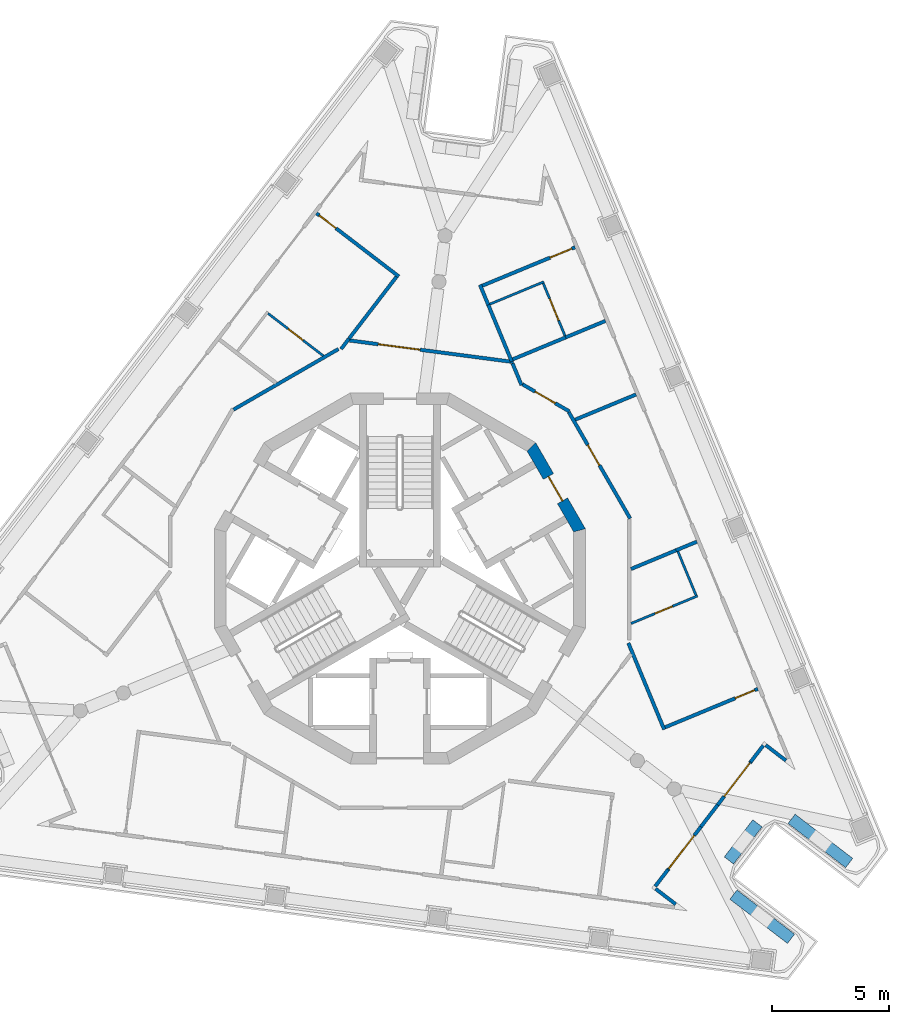
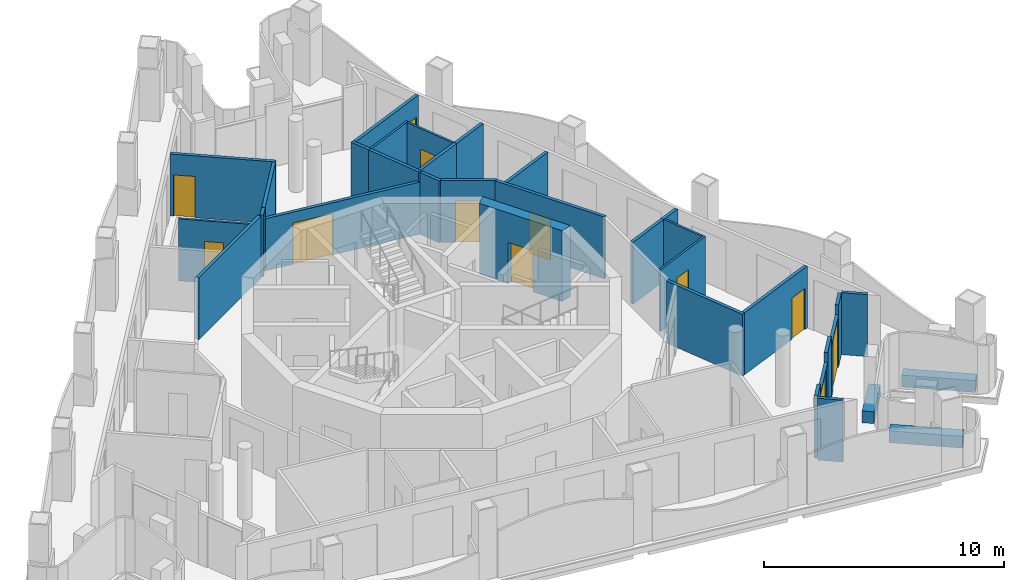
# One storey, part 5 of 12: 34 walls, 12 doors, 12 openings.
"""IFC4 building model written with IfcOpenShell, lengths in metres."""

import ifcopenshell
import ifcopenshell.guid

model = None  # the IFC model being written
_history = None  # IfcOwnerHistory: only IFC2X3 demands one
_inside = {}  # id of a spatial element -> (the spatial element, [elements in it])
_under = {}  # id of a project, library or spatial element -> (it, [spatial elements below it])
_declared = {}  # id of a project -> (the project, [libraries it declares])
_typed = {}  # id of a type object -> (the type object, [elements of that type])
_made_of = {}  # id of a material, layer set ... -> (it, [elements and type objects made of it])


def new_model(schema):
    """Start an empty IFC model of exactly this schema.

    Asked for "IFC4X3", IfcOpenShell would pick the latest addendum, in which some entities
    have other attributes; the version numbers below select the first issue.
    IFC2X3 requires an IfcOwnerHistory on every rooted entity: one is made here for all.
    """
    global model, _history
    if schema == "IFC4X3":
        model = ifcopenshell.file(schema_version=(4, 3, 0, 0))
    else:
        model = ifcopenshell.file(schema=schema)
    _inside.clear()
    _under.clear()
    _declared.clear()
    _typed.clear()
    _made_of.clear()
    _history = None
    if model.schema == "IFC2X3":
        org = make("IfcOrganization", Name="unknown")
        user = make(
            "IfcPersonAndOrganization",
            ThePerson=make("IfcPerson", FamilyName="unknown"),
            TheOrganization=org,
        )
        app = make(
            "IfcApplication",
            ApplicationDeveloper=org,
            Version="unknown",
            ApplicationFullName="unknown",
            ApplicationIdentifier="unknown",
        )
        _history = make(
            "IfcOwnerHistory",
            OwningUser=user,
            OwningApplication=app,
            ChangeAction="ADDED",
            CreationDate=0,
        )
    return model


def make(cls, **values):
    """One entity of the class cls with the attributes given. An attribute that is None is left unset."""
    return model.create_entity(
        cls, **{name: value for name, value in values.items() if value is not None}
    )


def rooted(cls, **values):
    """An entity with a GlobalId (a new one), such as an element, a storey or a relation."""
    return make(cls, GlobalId=ifcopenshell.guid.new(), OwnerHistory=_history, **values)


def si_unit(unit_type, name, prefix=None):
    """IfcSIUnit, for example si_unit("LENGTHUNIT", "METRE", prefix="MILLI")."""
    return make("IfcSIUnit", UnitType=unit_type, Prefix=prefix, Name=name)


def assignment(units):
    """IfcUnitAssignment: the units of a project."""
    return None if units is None else make("IfcUnitAssignment", Units=units)


def point(xyz):
    """IfcCartesianPoint."""
    return None if xyz is None else make("IfcCartesianPoint", Coordinates=xyz)


def direction(xyz):
    """IfcDirection."""
    return None if xyz is None else make("IfcDirection", DirectionRatios=xyz)


def frame(location, z_axis=None, x_axis=None):
    """IfcAxis2Placement3D, a coordinate frame: its origin and axes. An axis left out is left unset."""
    return make(
        "IfcAxis2Placement3D",
        Location=point(location),
        Axis=direction(z_axis),
        RefDirection=direction(x_axis),
    )


def frame_2d(location, x_axis=None):
    """IfcAxis2Placement2D, a coordinate frame in the plane: its origin and x axis."""
    return make(
        "IfcAxis2Placement2D", Location=point(location), RefDirection=direction(x_axis)
    )


def origin():
    """The frame at (0, 0, 0) with its axes left unset."""
    return frame((0.0, 0.0, 0.0))


def place(relative_to, where):
    """IfcLocalPlacement: puts the frame where relative to a parent placement (None: the world)."""
    return make(
        "IfcLocalPlacement", PlacementRelTo=relative_to, RelativePlacement=where
    )


def context(
    kind, dimensions, precision=None, world=None, true_north=None, identifier=None
):
    """IfcGeometricRepresentationContext, for example the 3D "Model" context."""
    return make(
        "IfcGeometricRepresentationContext",
        ContextIdentifier=identifier,
        ContextType=kind,
        CoordinateSpaceDimension=dimensions,
        Precision=precision,
        WorldCoordinateSystem=world,
        TrueNorth=true_north,
    )


def subcontext(parent, identifier, kind, view, scale=None):
    """IfcGeometricRepresentationSubContext, for example "Body" below "Model"."""
    return make(
        "IfcGeometricRepresentationSubContext",
        ContextIdentifier=identifier,
        ContextType=kind,
        ParentContext=parent,
        TargetScale=scale,
        TargetView=view,
    )


def project(units=None, contexts=None):
    """IfcProject with its units and contexts."""
    return rooted(
        "IfcProject",
        Name="project",
        RepresentationContexts=contexts,
        UnitsInContext=assignment(units),
    )


def spatial(cls, under=None, at=None, **own):
    """A site, building, storey or space (cls), placed at a placement, below another one or the project."""
    s = rooted(cls, ObjectPlacement=at, **own)
    if under is not None:
        _under.setdefault(under.id(), (under, []))[1].append(s)
    return s


def polyline(points):
    """IfcPolyline through the points."""
    return make("IfcPolyline", Points=[point(p) for p in points])


def profile(cls, at=None, kind="AREA", **sizes):
    """A parametric profile (cls). Its sizes go by their IFC names, for example OverallWidth=200.0."""
    return make(cls, ProfileType=kind, Position=at, **sizes)


def rectangle(**sizes):
    """IfcRectangleProfileDef."""
    return profile("IfcRectangleProfileDef", **sizes)


def outline(outer, holes=None, kind="AREA"):
    """IfcArbitraryClosedProfileDef: a profile drawn as a closed curve; with holes, ...WithVoids."""
    if holes is None:
        return make("IfcArbitraryClosedProfileDef", ProfileType=kind, OuterCurve=outer)
    return make(
        "IfcArbitraryProfileDefWithVoids",
        ProfileType=kind,
        OuterCurve=outer,
        InnerCurves=holes,
    )


def extrude(swept, where, along, depth):
    """IfcExtrudedAreaSolid: the profile swept, set in the frame where, extruded along a direction by depth."""
    return make(
        "IfcExtrudedAreaSolid",
        SweptArea=swept,
        Position=where,
        ExtrudedDirection=direction(along),
        Depth=depth,
    )


def shape(context_of_items, identifier, shape_type, items):
    """IfcShapeRepresentation: the items that make up one representation, for example the "Body"."""
    return make(
        "IfcShapeRepresentation",
        ContextOfItems=context_of_items,
        RepresentationIdentifier=identifier,
        RepresentationType=shape_type,
        Items=items,
    )


def material(Name=None, Category=None):
    """IfcMaterial."""
    return make("IfcMaterial", Name=Name, Category=Category)


def layer(
    of_material, thickness, ventilated=None, Name=None, Category=None, Priority=None
):
    """IfcMaterialLayer: one layer of a wall or slab, of a material (None: an air gap)."""
    return make(
        "IfcMaterialLayer",
        Material=of_material,
        LayerThickness=thickness,
        IsVentilated=ventilated,
        Name=Name,
        Category=Category,
        Priority=Priority,
    )


def layer_set(layers, Name=None):
    """IfcMaterialLayerSet."""
    return make("IfcMaterialLayerSet", MaterialLayers=layers, LayerSetName=Name)


def made_of(thing, what):
    """Note that an element or type object is made of a material, layer set ...; save() writes the relation."""
    if what is not None:
        _made_of.setdefault(what.id(), (what, []))[1].append(thing)
    return thing


def type_object(cls, material=None, **own):
    """A type object (cls), such as IfcWallType, which elements share."""
    return made_of(rooted(cls, **own), material)


def element(
    cls,
    number,
    at=None,
    inside=None,
    cuts=None,
    type_object=None,
    material=None,
    context=None,
    identifier="Body",
    shape_type=None,
    held_by="IfcProductDefinitionShape",
    body=None,
    shapes=None,
    **own,
):
    """One element of the class cls, such as IfcWall. Its Tag is "e" and its number.

    at: its placement. inside: the storey or other place that contains it. cuts: it is an
    opening in that element (IfcRelVoidsElement). A single representation is given by context,
    identifier, shape_type and body (its items); several are given by shapes. held_by: the class
    of the entity that holds the representations. save() writes the other relations.
    """
    e = rooted(cls, Tag="e%d" % number, ObjectPlacement=at, **own)
    if body is not None:
        shapes = [shape(context, identifier, shape_type, body)]
    if shapes is not None:
        e.Representation = make(held_by, Representations=shapes)
    if inside is not None:
        _inside.setdefault(inside.id(), (inside, []))[1].append(e)
    if cuts is not None:
        rooted(
            "IfcRelVoidsElement", RelatingBuildingElement=cuts, RelatedOpeningElement=e
        )
    if type_object is not None:
        _typed.setdefault(type_object.id(), (type_object, []))[1].append(e)
    return made_of(e, material)


def fill(opening, filler):
    """IfcRelFillsElement: the door or window that sits in an opening."""
    return rooted(
        "IfcRelFillsElement",
        RelatingOpeningElement=opening,
        RelatedBuildingElement=filler,
    )


def aggregate(whole, parts):
    """IfcRelAggregates: a whole, such as a stair, and the parts it consists of."""
    return rooted("IfcRelAggregates", RelatingObject=whole, RelatedObjects=parts)


def save(model, path):
    """Write the relations noted so far, then the file.

    IfcRelAggregates (storeys below a building ...), IfcRelContainedInSpatialStructure (elements
    in a storey), IfcRelDefinesByType, IfcRelAssociatesMaterial and IfcRelDeclares: one each for
    every whole, place, type object, material and project.
    """
    for whole, parts in _under.values():
        aggregate(whole, parts)
    for where, things in _inside.values():
        rooted(
            "IfcRelContainedInSpatialStructure",
            RelatedElements=things,
            RelatingStructure=where,
        )
    for kind, things in _typed.values():
        rooted("IfcRelDefinesByType", RelatedObjects=things, RelatingType=kind)
    for what, things in _made_of.values():
        rooted("IfcRelAssociatesMaterial", RelatedObjects=things, RelatingMaterial=what)
    for by, libraries in _declared.values():
        rooted("IfcRelDeclares", RelatingContext=by, RelatedDefinitions=libraries)
    model.write(path)


model = new_model("IFC4")

# Units and contexts
model_context = context("Model", 3, precision=1e-05, world=origin(), true_north=direction((0.0, 1.0)))
body_context = subcontext(model_context, "Body", "Model", "MODEL_VIEW")
ifc_project = project(units=[si_unit("LENGTHUNIT", "METRE"), si_unit("AREAUNIT", "SQUARE_METRE"), si_unit("VOLUMEUNIT", "CUBIC_METRE"), si_unit("PLANEANGLEUNIT", "RADIAN"), si_unit("MASSUNIT", "GRAM", prefix="KILO")], contexts=[model_context])

# Site, building, storey
site_placement = place(None, origin())
site = spatial("IfcSite", under=ifc_project, at=site_placement, CompositionType="ELEMENT")
building_placement = place(site_placement, origin())
building = spatial("IfcBuilding", under=site, at=building_placement, Name="Trine Commons Tower", CompositionType="ELEMENT")
storey_placement = place(building_placement, frame((0.0, 0.0, 297.0)))
storey = spatial("IfcBuildingStorey", under=building, at=storey_placement, Name="L78", CompositionType="ELEMENT", Elevation=297.0)

# Walls
ifc_material_1 = material(Name="Aluminium-framed insulated wall panel", Category="aluminium")
ifc_layer_1 = layer(ifc_material_1, 0.14990234375)
ifc_layer_set_1 = layer_set([ifc_layer_1], Name="Aluminium-framed insulated wall panel")
wall_type_1 = type_object("IfcWallType", Name="Glazed frame wall 150, EI 60", PredefinedType="SOLIDWALL", material=ifc_layer_set_1)
wall_1_placement = place(storey_placement, frame((96.600830078125, 54.633544921875, 0.0), z_axis=(0.0, 0.0, 1.0), x_axis=(-0.793352136239, 0.608762998157, 0.0)))
element("IfcWall", 1, at=wall_1_placement, inside=storey, type_object=wall_type_1, Name="Glazed frame wall R6", PredefinedType="SOLIDWALL", context=body_context, shape_type="SweptSolid", body=[
    extrude(outline(polyline([(0.1494140625, 0.074951171875), (0.1494140625, -0.074951171875), (1.235107421875, -0.074951171875), (1.235107421875, 0.074951171875), (0.1494140625, 0.074951171875)])), origin(), (0.0, 0.0, 1.0), 3.14990234375),
])
wall_2_placement = place(storey_placement, frame((95.582763671875, 55.458740234375, 0.0), z_axis=(0.0, 0.0, 1.0), x_axis=(-0.60863653794, -0.793449156962, 0.0)))
element("IfcWall", 2, at=wall_2_placement, inside=storey, type_object=wall_type_1, Name="Glazed frame wall P2.1", PredefinedType="SOLIDWALL", context=body_context, shape_type="SweptSolid", body=[
    extrude(outline(polyline([(0.110107421875, -0.074951171875), (1.0, -0.074951171875), (1.0, 0.074951171875), (0.110107421875, 0.074951171875), (0.110107421875, -0.074951171875)])), origin(), (0.0, 0.0, 1.0), 3.14990234375),
])

# Wall, opening, door
wall_3_placement = place(storey_placement, frame((94.97412109375, 54.665283203125, 0.0), z_axis=(0.0, 0.0, 1.0), x_axis=(-0.608821878019, -0.793306952475, 0.0)))
wall_3 = element("IfcWall", 3, at=wall_3_placement, inside=storey, type_object=wall_type_1, Name="Glazed frame wall P2.2", PredefinedType="SOLIDWALL", context=body_context, shape_type="SweptSolid", body=[
    extrude(outline(polyline([(0.0, -0.074951171875), (2.310791015625, -0.074951171875), (2.310791015625, 0.074951171875), (0.0, 0.074951171875), (0.0, -0.074951171875)])), origin(), (0.0, 0.0, 1.0), 2.64990234375),
])
opening_1_placement = place(wall_3_placement, frame((0.050048828125, 0.0, 0.0)))
opening_1 = element("IfcOpeningElement", 4, at=opening_1_placement, cuts=wall_3, Name="Opening BD-8P2-01", PredefinedType="OPENING", context=body_context, shape_type="SweptSolid", body=[
    extrude(rectangle(XDim=1.800048828125, YDim=2.60009765625, at=frame_2d((0.89990234375, 1.300048828125))), frame((0.0, 0.0849609375, 0.0), z_axis=(0.0, -1.0, 0.0), x_axis=(1.0, 0.0, 0.0)), (0.0, 0.0, 1.0), 0.169921875),
])
ifc_material_2 = material(Name="Anodised aluminium frame with double glazing", Category="aluminium")
door_type_1 = type_object("IfcDoorType", Name="Sliding loggia door 1800x2600", OperationType="SLIDING_TO_LEFT", PredefinedType="DOOR", material=ifc_material_2)
door_1_placement = place(opening_1_placement, origin())
door_1 = element("IfcDoor", 5, at=door_1_placement, inside=storey, type_object=door_type_1, Name="Loggia door P2 1", OperationType="SLIDING_TO_LEFT", OverallHeight=2.60009765625, OverallWidth=1.800048828125, PredefinedType="DOOR", context=body_context, shape_type="SweptSolid", body=[
    extrude(rectangle(XDim=1.800048828125, YDim=2.60009765625, at=frame_2d((0.89990234375, 1.300048828125))), frame((0.0, 0.02490234375, 0.0), z_axis=(0.0, -1.0, 0.0), x_axis=(1.0, 0.0, 0.0)), (0.0, 0.0, 1.0), 0.050048828125),
])
fill(opening_1, door_1)

# Wall
wall_4_placement = place(storey_placement, frame((93.5673828125, 52.832275390625, 0.0), z_axis=(0.0, 0.0, 1.0), x_axis=(-0.608779373124, -0.793339570965, 0.0)))
element("IfcWall", 6, at=wall_4_placement, inside=storey, type_object=wall_type_1, Name="Glazed frame wall P2.3", PredefinedType="SOLIDWALL", context=body_context, shape_type="SweptSolid", body=[
    extrude(outline(polyline([(0.0, -0.074951171875), (1.1787109375, -0.074951171875), (1.1787109375, 0.074951171875), (0.0, 0.074951171875), (0.0, -0.074951171875)])), origin(), (0.0, 0.0, 1.0), 3.14990234375),
])

# Wall, opening, door
wall_5_placement = place(storey_placement, frame((92.849853515625, 51.897216796875, 0.0), z_axis=(0.0, 0.0, 1.0), x_axis=(-0.608770848341, -0.793346112494, 0.0)))
wall_5 = element("IfcWall", 7, at=wall_5_placement, inside=storey, type_object=wall_type_1, Name="Glazed frame wall P2.4", PredefinedType="SOLIDWALL", context=body_context, shape_type="SweptSolid", body=[
    extrude(outline(polyline([(0.0, -0.074951171875), (2.310791015625, -0.074951171875), (2.310791015625, 0.074951171875), (0.0, 0.074951171875), (0.0, -0.074951171875)])), origin(), (0.0, 0.0, 1.0), 2.64990234375),
])
opening_2_placement = place(wall_5_placement, frame((0.460693359375, 0.0, 0.0)))
opening_2 = element("IfcOpeningElement", 8, at=opening_2_placement, cuts=wall_5, Name="Opening BD-8P2-02", PredefinedType="OPENING", context=body_context, shape_type="SweptSolid", body=[
    extrude(rectangle(XDim=1.800048828125, YDim=2.60009765625, at=frame_2d((0.89990234375, 1.300048828125))), frame((0.0, 0.0849609375, 0.0), z_axis=(0.0, -1.0, 0.0), x_axis=(1.0, 0.0, 0.0)), (0.0, 0.0, 1.0), 0.169921875),
])
door_2_placement = place(opening_2_placement, origin())
door_2 = element("IfcDoor", 9, at=door_2_placement, inside=storey, type_object=door_type_1, Name="Loggia door P2 2", OperationType="SLIDING_TO_LEFT", OverallHeight=2.60009765625, OverallWidth=1.800048828125, PredefinedType="DOOR", context=body_context, shape_type="SweptSolid", body=[
    extrude(rectangle(XDim=1.800048828125, YDim=2.60009765625, at=frame_2d((0.89990234375, 1.300048828125))), frame((0.0, 0.02490234375, 0.0), z_axis=(0.0, -1.0, 0.0), x_axis=(1.0, 0.0, 0.0)), (0.0, 0.0, 1.0), 0.050048828125),
])
fill(opening_2, door_2)

# Walls
wall_6_placement = place(storey_placement, frame((91.443115234375, 50.06396484375, 0.0), z_axis=(0.0, 0.0, 1.0), x_axis=(-0.60863653794, -0.793449156962, 0.0)))
element("IfcWall", 10, at=wall_6_placement, inside=storey, type_object=wall_type_1, Name="Glazed frame wall P2.5", PredefinedType="SOLIDWALL", context=body_context, shape_type="SweptSolid", body=[
    extrude(outline(polyline([(0.889892578125, 0.074951171875), (0.0, 0.074951171875), (0.0, -0.074951171875), (0.889892578125, -0.074951171875), (0.889892578125, 0.074951171875)])), origin(), (0.0, 0.0, 1.0), 3.14990234375),
])
wall_7_placement = place(storey_placement, frame((90.827880859375, 49.319580078125, 0.0), z_axis=(0.0, 0.0, 1.0), x_axis=(0.793439797287, -0.608648739488, 0.0)))
element("IfcWall", 11, at=wall_7_placement, inside=storey, type_object=wall_type_1, Name="Glazed frame wall R8", PredefinedType="SOLIDWALL", context=body_context, shape_type="SweptSolid", body=[
    extrude(outline(polyline([(0.110107421875, 0.074951171875), (0.110107421875, -0.074951171875), (1.19580078125, -0.074951171875), (1.19580078125, 0.074951171875), (0.110107421875, 0.074951171875)])), origin(), (0.0, 0.0, 1.0), 3.14990234375),
])
ifc_material_3 = material(Name="Planter trough, precast concrete C40/50", Category="concrete")
ifc_layer_2 = layer(ifc_material_3, 0.5)
ifc_layer_set_2 = layer_set([ifc_layer_2], Name="Planter trough, precast concrete C40/50")
wall_type_2 = type_object("IfcWallType", Name="Planter trough 500x600", PredefinedType="PARAPET", material=ifc_layer_set_2)
wall_8_placement = place(storey_placement, frame((99.182861328125, 50.351806640625, 0.0), z_axis=(0.0, 0.0, 1.0), x_axis=(-0.793355321014, 0.608758847671, 0.0)))
element("IfcWall", 12, at=wall_8_placement, inside=storey, type_object=wall_type_2, Name="Planter 7", PredefinedType="PARAPET", context=body_context, shape_type="SweptSolid", body=[
    extrude(rectangle(XDim=3.10009765625, YDim=0.5, at=frame_2d((1.550048828125, 0.0))), origin(), (0.0, 0.0, 1.0), 0.60009765625),
])
wall_9_placement = place(storey_placement, frame((95.265380859375, 52.047119140625, 0.0), z_axis=(0.0, 0.0, 1.0), x_axis=(-0.608790203715, -0.793331259853, 0.0)))
element("IfcWall", 13, at=wall_9_placement, inside=storey, type_object=wall_type_2, Name="Planter 8", PredefinedType="PARAPET", context=body_context, shape_type="SweptSolid", body=[
    extrude(rectangle(XDim=2.000244140625, YDim=0.5, at=frame_2d((1.0, 0.0))), origin(), (0.0, 0.0, 1.0), 0.60009765625),
])
wall_10_placement = place(storey_placement, frame((94.23974609375, 49.002197265625, 0.0), z_axis=(0.0, 0.0, 1.0), x_axis=(0.793355321014, -0.608758847671, 0.0)))
element("IfcWall", 14, at=wall_10_placement, inside=storey, type_object=wall_type_2, Name="Planter 9", PredefinedType="PARAPET", context=body_context, shape_type="SweptSolid", body=[
    extrude(rectangle(XDim=3.10009765625, YDim=0.5, at=frame_2d((1.550048828125, 0.0))), origin(), (0.0, 0.0, 1.0), 0.60009765625),
])

# Wall, opening, door
ifc_material_4 = material(Name="Concrete C50/60", Category="concrete")
ifc_layer_3 = layer(ifc_material_4, 0.5)
ifc_layer_set_3 = layer_set([ifc_layer_3], Name="Concrete C50/60")
wall_type_3 = type_object("IfcWallType", Name="RC shear wall 500 mm, C50/60", PredefinedType="SHEAR", material=ifc_layer_set_3)
wall_11_placement = place(storey_placement, frame((87.7041015625, 64.497314453125, 0.0), z_axis=(0.0, 0.0, 1.0), x_axis=(-0.499992968425, 0.866029463428, 0.0)))
wall_11 = element("IfcWall", 15, at=wall_11_placement, inside=storey, type_object=wall_type_3, Name="Core wall CWH-02 L78", PredefinedType="SHEAR", context=body_context, shape_type="SweptSolid", body=[
    extrude(outline(polyline([(0.0, -0.25), (4.24462890625, -0.25), (4.110595703125, 0.25), (0.134033203125, 0.25), (0.0, -0.25)])), origin(), (0.0, 0.0, 1.0), 3.60009765625),
])
opening_3_placement = place(wall_11_placement, frame((1.5224609375, 0.0, 0.0)))
opening_3 = element("IfcOpeningElement", 16, at=opening_3_placement, cuts=wall_11, Name="Opening K18.04", PredefinedType="OPENING", context=body_context, shape_type="SweptSolid", body=[
    extrude(rectangle(XDim=1.199951171875, YDim=2.10009765625, at=frame_2d((0.60009765625, 1.050048828125))), frame((0.0, 0.260009765625, 0.0), z_axis=(0.0, -1.0, 0.0), x_axis=(1.0, 0.0, 0.0)), (0.0, 0.0, 1.0), 0.52001953125),
])
ifc_material_5 = material(Name="Steel door leaves, fire-rated", Category="steel")
door_type_2 = type_object("IfcDoorType", Name="Lobby door, double leaf 1200 x 2100, FD60", OperationType="DOUBLE_DOOR_SINGLE_SWING", PredefinedType="DOOR", material=ifc_material_5)
door_3_placement = place(opening_3_placement, origin())
door_3 = element("IfcDoor", 17, at=door_3_placement, inside=storey, type_object=door_type_2, Name="Lobby door, Core lounge L78", OperationType="DOUBLE_DOOR_SINGLE_SWING", OverallHeight=2.10009765625, OverallWidth=1.199951171875, PredefinedType="DOOR", context=body_context, shape_type="SweptSolid", body=[
    extrude(rectangle(XDim=1.199951171875, YDim=2.10009765625, at=frame_2d((0.60009765625, 1.050048828125))), frame((0.0, 0.02490234375, 0.0), z_axis=(0.0, -1.0, 0.0), x_axis=(1.0, 0.0, 0.0)), (0.0, 0.0, 1.0), 0.050048828125),
])
fill(opening_3, door_3)

# Wall
ifc_material_6 = material(Name="Gypsum plasterboard on steel stud", Category="steel")
ifc_layer_4 = layer(ifc_material_6, 0.14990234375)
ifc_layer_set_4 = layer_set([ifc_layer_4], Name="Gypsum plasterboard on steel stud")
wall_type_4 = type_object("IfcWallType", Name="Unit and corridor wall 150 mm, EI 60", PredefinedType="PARTITIONING", material=ifc_layer_set_4)
wall_12_placement = place(storey_placement, frame((72.893798828125, 69.70849609375, 0.0), z_axis=(0.0, 0.0, 1.0), x_axis=(0.866010370781, 0.500026037022, 0.0)))
element("IfcWall", 18, at=wall_12_placement, inside=storey, type_object=wall_type_4, Name="Partition 017", PredefinedType="PARTITIONING", context=body_context, shape_type="SweptSolid", body=[
    extrude(rectangle(XDim=5.174560546875, YDim=0.14990234375, at=frame_2d((2.58740234375, 0.0))), origin(), (0.0, 0.0, 1.0), 3.14990234375),
])

# Wall, opening, door
wall_13_placement = place(storey_placement, frame((76.438720703125, 78.092529296875, 0.0), z_axis=(0.0, 0.0, 1.0), x_axis=(0.793339619552, -0.608779309807, 0.0)))
wall_13 = element("IfcWall", 19, at=wall_13_placement, inside=storey, type_object=wall_type_4, Name="Partition 026", PredefinedType="PARTITIONING", context=body_context, shape_type="SweptSolid", body=[
    extrude(rectangle(XDim=4.435546875, YDim=0.14990234375, at=frame_2d((2.2177734375, 0.0))), origin(), (0.0, 0.0, 1.0), 3.14990234375),
])
opening_4_placement = place(wall_13_placement, frame((0.14990234375, 0.0, 0.0)))
opening_4 = element("IfcOpeningElement", 20, at=opening_4_placement, cuts=wall_13, Name="Opening D-8C06", PredefinedType="OPENING", context=body_context, shape_type="SweptSolid", body=[
    extrude(rectangle(XDim=0.89990234375, YDim=2.10009765625, at=frame_2d((0.449951171875, 1.050048828125))), frame((0.0, 0.0849609375, 0.0), z_axis=(0.0, -1.0, 0.0), x_axis=(1.0, 0.0, 0.0)), (0.0, 0.0, 1.0), 0.169921875),
])
ifc_material_7 = material(Name="Timber fire door set", Category="wood")
door_type_3 = type_object("IfcDoorType", Name="Bedroom door 900 x 2100, FD30S", OperationType="NOTDEFINED", PredefinedType="DOOR", material=ifc_material_7)
door_4_placement = place(opening_4_placement, frame((0.89990234375, 0.0, 0.0), z_axis=(0.0, 0.0, 1.0), x_axis=(-1.0, 0.0, 0.0)))
door_4 = element("IfcDoor", 21, at=door_4_placement, inside=storey, type_object=door_type_3, Name="Door D-8C06", OperationType="SINGLE_SWING_RIGHT", OverallHeight=2.10009765625, OverallWidth=0.89990234375, PredefinedType="DOOR", context=body_context, shape_type="SweptSolid", body=[
    extrude(rectangle(XDim=0.89990234375, YDim=2.10009765625, at=frame_2d((0.449951171875, 1.050048828125))), frame((0.0, 0.02490234375, 0.0), z_axis=(0.0, -1.0, 0.0), x_axis=(1.0, 0.0, 0.0)), (0.0, 0.0, 1.0), 0.050048828125),
])
fill(opening_4, door_4)

# Wall
wall_14_placement = place(storey_placement, frame((77.487060546875, 72.2958984375, 0.0), z_axis=(0.0, 0.0, 1.0), x_axis=(0.608207837142, 0.793777819569, 0.0)))
element("IfcWall", 22, at=wall_14_placement, inside=storey, type_object=wall_type_4, Name="Partition 028", PredefinedType="PARTITIONING", context=body_context, shape_type="SweptSolid", body=[
    extrude(rectangle(XDim=0.550048828125, YDim=0.14990234375, at=frame_2d((0.27490234375, 0.0))), origin(), (0.0, 0.0, 1.0), 3.14990234375),
])

# Wall, opening, door
wall_15_placement = place(storey_placement, frame((77.850341796875, 72.6630859375, 0.0), z_axis=(0.0, 0.0, 1.0), x_axis=(0.991451590302, -0.130475070748, 0.0)))
wall_15 = element("IfcWall", 23, at=wall_15_placement, inside=storey, type_object=wall_type_4, Name="Partition 029", PredefinedType="PARTITIONING", context=body_context, shape_type="SweptSolid", body=[
    extrude(rectangle(XDim=7.0654296875, YDim=0.14990234375, at=frame_2d((3.53271484375, 0.0))), origin(), (0.0, 0.0, 1.0), 2.64990234375),
])
opening_5_placement = place(wall_15_placement, frame((1.236572265625, 0.0, 0.0)))
opening_5 = element("IfcOpeningElement", 24, at=opening_5_placement, cuts=wall_15, Name="Opening D-8C01", PredefinedType="OPENING", context=body_context, shape_type="SweptSolid", body=[
    extrude(rectangle(XDim=1.800048828125, YDim=2.10009765625, at=frame_2d((0.89990234375, 1.050048828125))), frame((0.0, 0.0849609375, 0.0), z_axis=(0.0, -1.0, 0.0), x_axis=(1.0, 0.0, 0.0)), (0.0, 0.0, 1.0), 0.169921875),
])
door_type_4 = type_object("IfcDoorType", Name="Cluster entrance door 1800 x 2100, double leaf, FD30S", OperationType="DOUBLE_DOOR_DOUBLE_SWING", PredefinedType="DOOR", material=ifc_material_7)
door_5_placement = place(opening_5_placement, origin())
door_5 = element("IfcDoor", 25, at=door_5_placement, inside=storey, type_object=door_type_4, Name="Door D-8C01", OperationType="DOUBLE_DOOR_DOUBLE_SWING", OverallHeight=2.10009765625, OverallWidth=1.800048828125, PredefinedType="DOOR", context=body_context, shape_type="SweptSolid", body=[
    extrude(rectangle(XDim=1.800048828125, YDim=2.10009765625, at=frame_2d((0.89990234375, 1.050048828125))), frame((0.0, 0.02490234375, 0.0), z_axis=(0.0, -1.0, 0.0), x_axis=(1.0, 0.0, 0.0)), (0.0, 0.0, 1.0), 0.050048828125),
])
fill(opening_5, door_5)

# Walls
wall_16_placement = place(storey_placement, frame((77.827880859375, 72.739990234375, 0.0), z_axis=(0.0, 0.0, 1.0), x_axis=(0.60873819793, 0.793371165585, 0.0)))
element("IfcWall", 26, at=wall_16_placement, inside=storey, type_object=wall_type_4, Name="Partition 030", PredefinedType="PARTITIONING", context=body_context, shape_type="SweptSolid", body=[
    extrude(rectangle(XDim=3.32568359375, YDim=0.14990234375, at=frame_2d((1.662841796875, 0.0))), origin(), (0.0, 0.0, 1.0), 3.14990234375),
])
wall_17_placement = place(storey_placement, frame((83.418212890625, 75.040283203125, 0.0), z_axis=(0.0, 0.0, 1.0), x_axis=(0.382452257319, -0.923975254469, 0.0)))
element("IfcWall", 27, at=wall_17_placement, inside=storey, type_object=wall_type_4, Name="Partition 034", PredefinedType="PARTITIONING", context=body_context, shape_type="SweptSolid", body=[
    extrude(rectangle(XDim=0.93017578125, YDim=0.14990234375, at=frame_2d((0.465087890625, 0.0))), origin(), (0.0, 0.0, 1.0), 3.14990234375),
])

# Wall, opening, door
wall_18_placement = place(storey_placement, frame((83.516357421875, 74.999755859375, 0.0), z_axis=(0.0, 0.0, 1.0), x_axis=(0.923868914467, 0.382709065586, 0.0)))
wall_18 = element("IfcWall", 28, at=wall_18_placement, inside=storey, type_object=wall_type_4, Name="Partition 035", PredefinedType="PARTITIONING", context=body_context, shape_type="SweptSolid", body=[
    extrude(rectangle(XDim=4.284912109375, YDim=0.14990234375, at=frame_2d((2.142578125, 0.0))), origin(), (0.0, 0.0, 1.0), 3.14990234375),
])
opening_6_placement = place(wall_18_placement, frame((3.135009765625, 0.0, 0.0)))
opening_6 = element("IfcOpeningElement", 29, at=opening_6_placement, cuts=wall_18, Name="Opening D-8C07", PredefinedType="OPENING", context=body_context, shape_type="SweptSolid", body=[
    extrude(rectangle(XDim=1.0, YDim=2.10009765625, at=frame_2d((0.5, 1.050048828125))), frame((0.0, 0.0849609375, 0.0), z_axis=(0.0, -1.0, 0.0), x_axis=(1.0, 0.0, 0.0)), (0.0, 0.0, 1.0), 0.169921875),
])
door_type_5 = type_object("IfcDoorType", Name="Bedroom door 1000 x 2100, FD30S", OperationType="NOTDEFINED", PredefinedType="DOOR", material=ifc_material_7)
door_6_placement = place(opening_6_placement, frame((1.0, 0.0, 0.0), z_axis=(0.0, 0.0, 1.0), x_axis=(-1.0, 0.0, 0.0)))
door_6 = element("IfcDoor", 30, at=door_6_placement, inside=storey, type_object=door_type_5, Name="Door D-8C07", OperationType="SINGLE_SWING_LEFT", OverallHeight=2.10009765625, OverallWidth=1.0, PredefinedType="DOOR", context=body_context, shape_type="SweptSolid", body=[
    extrude(rectangle(XDim=1.0, YDim=2.10009765625, at=frame_2d((0.5, 1.050048828125))), frame((0.0, 0.02490234375, 0.0), z_axis=(0.0, -1.0, 0.0), x_axis=(1.0, 0.0, 0.0)), (0.0, 0.0, 1.0), 0.050048828125),
])
fill(opening_6, door_6)

# Walls
wall_19_placement = place(storey_placement, frame((83.751953125, 74.234130859375, 0.0), z_axis=(0.0, 0.0, 1.0), x_axis=(0.382912582993, -0.923784581916, 0.0)))
element("IfcWall", 31, at=wall_19_placement, inside=storey, type_object=wall_type_4, Name="Partition 036", PredefinedType="PARTITIONING", context=body_context, shape_type="SweptSolid", body=[
    extrude(rectangle(XDim=2.678466796875, YDim=0.14990234375, at=frame_2d((1.33935546875, 0.0))), origin(), (0.0, 0.0, 1.0), 3.14990234375),
])
wall_20_placement = place(storey_placement, frame((84.818359375, 71.857666015625, 0.0), z_axis=(0.0, 0.0, 1.0), x_axis=(0.923910943395, 0.382607590979, 0.0)))
element("IfcWall", 32, at=wall_20_placement, inside=storey, type_object=wall_type_4, Name="Partition 040", PredefinedType="PARTITIONING", context=body_context, shape_type="SweptSolid", body=[
    extrude(rectangle(XDim=2.444580078125, YDim=0.14990234375, at=frame_2d((1.22216796875, 0.0))), origin(), (0.0, 0.0, 1.0), 3.14990234375),
])
wall_21_placement = place(storey_placement, frame((84.809814453125, 71.681640625, 0.0), z_axis=(0.0, 0.0, 1.0), x_axis=(0.382525049986, -0.923945120737, 0.0)))
element("IfcWall", 33, at=wall_21_placement, inside=storey, type_object=wall_type_4, Name="Partition 041", PredefinedType="PARTITIONING", context=body_context, shape_type="SweptSolid", body=[
    extrude(rectangle(XDim=0.99560546875, YDim=0.14990234375, at=frame_2d((0.497802734375, 0.0))), origin(), (0.0, 0.0, 1.0), 3.14990234375),
])

# Wall, opening, door
wall_22_placement = place(storey_placement, frame((85.22705078125, 70.79345703125, 0.0), z_axis=(0.0, 0.0, 1.0), x_axis=(0.866026103983, -0.499998787219, 0.0)))
wall_22 = element("IfcWall", 34, at=wall_22_placement, inside=storey, type_object=wall_type_4, Name="Partition 042", PredefinedType="PARTITIONING", context=body_context, shape_type="SweptSolid", body=[
    extrude(rectangle(XDim=2.31982421875, YDim=0.14990234375, at=frame_2d((1.159912109375, 0.0))), origin(), (0.0, 0.0, 1.0), 3.14990234375),
])
opening_7_placement = place(wall_22_placement, frame((0.62255859375, 0.0, 0.0)))
opening_7 = element("IfcOpeningElement", 35, at=opening_7_placement, cuts=wall_22, Name="Opening D-8C08", PredefinedType="OPENING", context=body_context, shape_type="SweptSolid", body=[
    extrude(rectangle(XDim=1.0, YDim=2.10009765625, at=frame_2d((0.5, 1.050048828125))), frame((0.0, 0.0849609375, 0.0), z_axis=(0.0, -1.0, 0.0), x_axis=(1.0, 0.0, 0.0)), (0.0, 0.0, 1.0), 0.169921875),
])
ifc_material_8 = material(Name="Painted timber", Category="wood")
door_type_6 = type_object("IfcDoorType", Name="Toilet door 1000 x 2100, NOT RATED", OperationType="NOTDEFINED", PredefinedType="DOOR", material=ifc_material_8)
door_7_placement = place(opening_7_placement, origin())
door_7 = element("IfcDoor", 36, at=door_7_placement, inside=storey, type_object=door_type_6, Name="Door D-8C08", OperationType="SINGLE_SWING_LEFT", OverallHeight=2.10009765625, OverallWidth=1.0, PredefinedType="DOOR", context=body_context, shape_type="SweptSolid", body=[
    extrude(rectangle(XDim=1.0, YDim=2.10009765625, at=frame_2d((0.5, 1.050048828125))), frame((0.0, 0.02490234375, 0.0), z_axis=(0.0, -1.0, 0.0), x_axis=(1.0, 0.0, 0.0)), (0.0, 0.0, 1.0), 0.050048828125),
])
fill(opening_7, door_7)

# Wall
wall_23_placement = place(storey_placement, frame((87.076904296875, 72.79296875, 0.0), z_axis=(0.0, 0.0, 1.0), x_axis=(0.923766150137, 0.38295704702, 0.0)))
element("IfcWall", 37, at=wall_23_placement, inside=storey, type_object=wall_type_4, Name="Partition 046", PredefinedType="PARTITIONING", context=body_context, shape_type="SweptSolid", body=[
    extrude(rectangle(XDim=1.840576171875, YDim=0.14990234375, at=frame_2d((0.92041015625, 0.0))), origin(), (0.0, 0.0, 1.0), 3.14990234375),
])

# Wall, opening, door
wall_24_placement = place(storey_placement, frame((87.20849609375, 69.606201171875, 0.0), z_axis=(0.0, 0.0, 1.0), x_axis=(0.500040482552, -0.866002029911, 0.0)))
wall_24 = element("IfcWall", 38, at=wall_24_placement, inside=storey, type_object=wall_type_4, Name="Partition 047", PredefinedType="PARTITIONING", context=body_context, shape_type="SweptSolid", body=[
    extrude(rectangle(XDim=5.24951171875, YDim=0.14990234375, at=frame_2d((2.624755859375, 0.0))), origin(), (0.0, 0.0, 1.0), 3.14990234375),
])
opening_8_placement = place(wall_24_placement, frame((1.62451171875, 0.0, 0.0)))
opening_8 = element("IfcOpeningElement", 39, at=opening_8_placement, cuts=wall_24, Name="Opening D-8C09", PredefinedType="OPENING", context=body_context, shape_type="SweptSolid", body=[
    extrude(rectangle(XDim=1.0, YDim=2.10009765625, at=frame_2d((0.5, 1.050048828125))), frame((0.0, 0.0849609375, 0.0), z_axis=(0.0, -1.0, 0.0), x_axis=(1.0, 0.0, 0.0)), (0.0, 0.0, 1.0), 0.169921875),
])
door_type_7 = type_object("IfcDoorType", Name="Amenity room door 1000 x 2100, NOT RATED", OperationType="NOTDEFINED", PredefinedType="DOOR", material=ifc_material_8)
door_8_placement = place(opening_8_placement, origin())
door_8 = element("IfcDoor", 40, at=door_8_placement, inside=storey, type_object=door_type_7, Name="Door D-8C09", OperationType="SINGLE_SWING_LEFT", OverallHeight=2.10009765625, OverallWidth=1.0, PredefinedType="DOOR", context=body_context, shape_type="SweptSolid", body=[
    extrude(rectangle(XDim=1.0, YDim=2.10009765625, at=frame_2d((0.5, 1.050048828125))), frame((0.0, 0.02490234375, 0.0), z_axis=(0.0, -1.0, 0.0), x_axis=(1.0, 0.0, 0.0)), (0.0, 0.0, 1.0), 0.050048828125),
])
fill(opening_8, door_8)

# Walls
wall_25_placement = place(storey_placement, frame((87.482421875, 69.27978515625, 0.0), z_axis=(0.0, 0.0, 1.0), x_axis=(0.923772104672, 0.382942683218, 0.0)))
element("IfcWall", 41, at=wall_25_placement, inside=storey, type_object=wall_type_4, Name="Partition 048", PredefinedType="PARTITIONING", context=body_context, shape_type="SweptSolid", body=[
    extrude(rectangle(XDim=2.8095703125, YDim=0.14990234375, at=frame_2d((1.40478515625, 0.0))), origin(), (0.0, 0.0, 1.0), 3.14990234375),
])
wall_26_placement = place(storey_placement, frame((89.7548828125, 59.742919921875, 0.0), z_axis=(0.0, 0.0, 1.0), x_axis=(0.382693412295, -0.923875398626, 0.0)))
element("IfcWall", 42, at=wall_26_placement, inside=storey, type_object=wall_type_4, Name="Partition 052", PredefinedType="PARTITIONING", context=body_context, shape_type="SweptSolid", body=[
    extrude(rectangle(XDim=3.997314453125, YDim=0.14990234375, at=frame_2d((1.99853515625, 0.0))), origin(), (0.0, 0.0, 1.0), 3.14990234375),
])
wall_27_placement = place(storey_placement, frame((89.865234375, 62.90478515625, 0.0), z_axis=(0.0, 0.0, 1.0), x_axis=(0.923699797902, 0.383117062209, 0.0)))
element("IfcWall", 43, at=wall_27_placement, inside=storey, type_object=wall_type_4, Name="Partition 055", PredefinedType="PARTITIONING", context=body_context, shape_type="SweptSolid", body=[
    extrude(rectangle(XDim=2.14111328125, YDim=0.14990234375, at=frame_2d((1.070556640625, 0.0))), origin(), (0.0, 0.0, 1.0), 3.14990234375),
])

# Wall, opening, door
wall_28_placement = place(storey_placement, frame((91.3251953125, 56.147705078125, 0.0), z_axis=(0.0, 0.0, 1.0), x_axis=(0.923868914467, 0.382709065586, 0.0)))
wall_28 = element("IfcWall", 44, at=wall_28_placement, inside=storey, type_object=wall_type_4, Name="Partition 056", PredefinedType="PARTITIONING", context=body_context, shape_type="SweptSolid", body=[
    extrude(rectangle(XDim=4.284912109375, YDim=0.14990234375, at=frame_2d((2.142578125, 0.0))), origin(), (0.0, 0.0, 1.0), 3.14990234375),
])
opening_9_placement = place(wall_28_placement, frame((3.235107421875, 0.0, 0.0)))
opening_9 = element("IfcOpeningElement", 45, at=opening_9_placement, cuts=wall_28, Name="Opening D-8C10", PredefinedType="OPENING", context=body_context, shape_type="SweptSolid", body=[
    extrude(rectangle(XDim=0.89990234375, YDim=2.10009765625, at=frame_2d((0.449951171875, 1.050048828125))), frame((0.0, 0.0849609375, 0.0), z_axis=(0.0, -1.0, 0.0), x_axis=(1.0, 0.0, 0.0)), (0.0, 0.0, 1.0), 0.169921875),
])
door_9_placement = place(opening_9_placement, origin())
door_9 = element("IfcDoor", 46, at=door_9_placement, inside=storey, type_object=door_type_3, Name="Door D-8C10", OperationType="SINGLE_SWING_RIGHT", OverallHeight=2.10009765625, OverallWidth=0.89990234375, PredefinedType="DOOR", context=body_context, shape_type="SweptSolid", body=[
    extrude(rectangle(XDim=0.89990234375, YDim=2.10009765625, at=frame_2d((0.449951171875, 1.050048828125))), frame((0.0, 0.02490234375, 0.0), z_axis=(0.0, -1.0, 0.0), x_axis=(1.0, 0.0, 0.0)), (0.0, 0.0, 1.0), 0.050048828125),
])
fill(opening_9, door_9)

# Wall
wall_29_placement = place(storey_placement, frame((91.789794921875, 63.702880859375, 0.0), z_axis=(0.0, 0.0, 1.0), x_axis=(0.923958226905, 0.382493392015, 0.0)))
element("IfcWall", 47, at=wall_29_placement, inside=storey, type_object=wall_type_4, Name="Partition 057", PredefinedType="PARTITIONING", context=body_context, shape_type="SweptSolid", body=[
    extrude(rectangle(XDim=0.96435546875, YDim=0.14990234375, at=frame_2d((0.482177734375, 0.0))), origin(), (0.0, 0.0, 1.0), 3.14990234375),
])

# Wall, opening, door
ifc_layer_5 = layer(ifc_material_6, 0.10009765625)
ifc_layer_set_5 = layer_set([ifc_layer_5], Name="Gypsum plasterboard on steel stud")
wall_type_5 = type_object("IfcWallType", Name="Unit partition 100 mm, no rating", PredefinedType="PARTITIONING", material=ifc_layer_set_5)
wall_30_placement = place(storey_placement, frame((74.36865234375, 73.817626953125, 0.0), z_axis=(0.0, 0.0, 1.0), x_axis=(0.793482352244, -0.608593260459, 0.0)))
wall_30 = element("IfcWall", 48, at=wall_30_placement, inside=storey, type_object=wall_type_5, Name="Partition 022", PredefinedType="PARTITIONING", context=body_context, shape_type="SweptSolid", body=[
    extrude(rectangle(XDim=2.97900390625, YDim=0.10009765625, at=frame_2d((1.489501953125, 0.0))), origin(), (0.0, 0.0, 1.0), 3.14990234375),
])
opening_10_placement = place(wall_30_placement, frame((1.089599609375, 0.0, 0.0)))
opening_10 = element("IfcOpeningElement", 49, at=opening_10_placement, cuts=wall_30, Name="Opening D-8C15", PredefinedType="OPENING", context=body_context, shape_type="SweptSolid", body=[
    extrude(rectangle(XDim=0.800048828125, YDim=2.10009765625, at=frame_2d((0.39990234375, 1.050048828125))), frame((0.0, 0.06005859375, 0.0), z_axis=(0.0, -1.0, 0.0), x_axis=(1.0, 0.0, 0.0)), (0.0, 0.0, 1.0), 0.1201171875),
])
door_type_8 = type_object("IfcDoorType", Name="Internal door 800 x 2100, NOT RATED", OperationType="NOTDEFINED", PredefinedType="DOOR", material=ifc_material_8)
door_10_placement = place(opening_10_placement, origin())
door_10 = element("IfcDoor", 50, at=door_10_placement, inside=storey, type_object=door_type_8, Name="Door D-8C15", OperationType="SINGLE_SWING_RIGHT", OverallHeight=2.10009765625, OverallWidth=0.800048828125, PredefinedType="DOOR", context=body_context, shape_type="SweptSolid", body=[
    extrude(rectangle(XDim=0.800048828125, YDim=2.10009765625, at=frame_2d((0.39990234375, 1.050048828125))), frame((0.0, 0.02490234375, 0.0), z_axis=(0.0, -1.0, 0.0), x_axis=(1.0, 0.0, 0.0)), (0.0, 0.0, 1.0), 0.050048828125),
])
fill(opening_10, door_10)

# Wall
wall_31_placement = place(storey_placement, frame((83.84228515625, 74.213623046875, 0.0), z_axis=(0.0, 0.0, 1.0), x_axis=(0.923899952916, 0.382634129425, 0.0)))
element("IfcWall", 51, at=wall_31_placement, inside=storey, type_object=wall_type_5, Name="Partition 037", PredefinedType="PARTITIONING", context=body_context, shape_type="SweptSolid", body=[
    extrude(rectangle(XDim=2.494873046875, YDim=0.10009765625, at=frame_2d((1.24755859375, 0.0))), origin(), (0.0, 0.0, 1.0), 3.14990234375),
])

# Wall, opening, door
wall_32_placement = place(storey_placement, frame((86.1201171875, 75.102783203125, 0.0), z_axis=(0.0, 0.0, 1.0), x_axis=(0.382748920082, -0.923852403891, 0.0)))
wall_32 = element("IfcWall", 52, at=wall_32_placement, inside=storey, type_object=wall_type_5, Name="Partition 044", PredefinedType="PARTITIONING", context=body_context, shape_type="SweptSolid", body=[
    extrude(rectangle(XDim=2.425048828125, YDim=0.10009765625, at=frame_2d((1.21240234375, 0.0))), origin(), (0.0, 0.0, 1.0), 3.14990234375),
])
opening_11_placement = place(wall_32_placement, frame((0.712646484375, 0.0, 0.0)))
opening_11 = element("IfcOpeningElement", 53, at=opening_11_placement, cuts=wall_32, Name="Opening D-8C16", PredefinedType="OPENING", context=body_context, shape_type="SweptSolid", body=[
    extrude(rectangle(XDim=1.0, YDim=2.10009765625, at=frame_2d((0.5, 1.050048828125))), frame((0.0, 0.06005859375, 0.0), z_axis=(0.0, -1.0, 0.0), x_axis=(1.0, 0.0, 0.0)), (0.0, 0.0, 1.0), 0.1201171875),
])
door_type_9 = type_object("IfcDoorType", Name="Internal door 1000 x 2100, NOT RATED", OperationType="NOTDEFINED", PredefinedType="DOOR", material=ifc_material_8)
door_11_placement = place(opening_11_placement, origin())
door_11 = element("IfcDoor", 54, at=door_11_placement, inside=storey, type_object=door_type_9, Name="Door D-8C16", OperationType="SINGLE_SWING_RIGHT", OverallHeight=2.10009765625, OverallWidth=1.0, PredefinedType="DOOR", context=body_context, shape_type="SweptSolid", body=[
    extrude(rectangle(XDim=1.0, YDim=2.10009765625, at=frame_2d((0.5, 1.050048828125))), frame((0.0, 0.02490234375, 0.0), z_axis=(0.0, -1.0, 0.0), x_axis=(1.0, 0.0, 0.0)), (0.0, 0.0, 1.0), 0.050048828125),
])
fill(opening_11, door_11)

wall_33_placement = place(storey_placement, frame((89.865234375, 60.57763671875, 0.0), z_axis=(0.0, 0.0, 1.0), x_axis=(0.923828319661, 0.38280704773, 0.0)))
wall_33 = element("IfcWall", 55, at=wall_33_placement, inside=storey, type_object=wall_type_5, Name="Partition 054", PredefinedType="PARTITIONING", context=body_context, shape_type="SweptSolid", body=[
    extrude(rectangle(XDim=3.078369140625, YDim=0.10009765625, at=frame_2d((1.5390625, 0.0))), origin(), (0.0, 0.0, 1.0), 3.14990234375),
])
opening_12_placement = place(wall_33_placement, frame((1.1142578125, 0.0, 0.0)))
opening_12 = element("IfcOpeningElement", 56, at=opening_12_placement, cuts=wall_33, Name="Opening D-8C17", PredefinedType="OPENING", context=body_context, shape_type="SweptSolid", body=[
    extrude(rectangle(XDim=0.800048828125, YDim=2.10009765625, at=frame_2d((0.39990234375, 1.050048828125))), frame((0.0, 0.06005859375, 0.0), z_axis=(0.0, -1.0, 0.0), x_axis=(1.0, 0.0, 0.0)), (0.0, 0.0, 1.0), 0.1201171875),
])
door_12_placement = place(opening_12_placement, frame((0.800048828125, 0.0, 0.0), z_axis=(0.0, 0.0, 1.0), x_axis=(-1.0, 0.0, 0.0)))
door_12 = element("IfcDoor", 57, at=door_12_placement, inside=storey, type_object=door_type_8, Name="Door D-8C17", OperationType="SINGLE_SWING_RIGHT", OverallHeight=2.10009765625, OverallWidth=0.800048828125, PredefinedType="DOOR", context=body_context, shape_type="SweptSolid", body=[
    extrude(rectangle(XDim=0.800048828125, YDim=2.10009765625, at=frame_2d((0.39990234375, 1.050048828125))), frame((0.0, 0.02490234375, 0.0), z_axis=(0.0, -1.0, 0.0), x_axis=(1.0, 0.0, 0.0)), (0.0, 0.0, 1.0), 0.050048828125),
])
fill(opening_12, door_12)

# Wall
wall_34_placement = place(storey_placement, frame((91.86865234375, 63.65380859375, 0.0), z_axis=(0.0, 0.0, 1.0), x_axis=(0.382816773578, -0.923824289498, 0.0)))
element("IfcWall", 58, at=wall_34_placement, inside=storey, type_object=wall_type_5, Name="Partition 058", PredefinedType="PARTITIONING", context=body_context, shape_type="SweptSolid", body=[
    extrude(rectangle(XDim=2.02490234375, YDim=0.10009765625, at=frame_2d((1.012451171875, 0.0))), origin(), (0.0, 0.0, 1.0), 3.14990234375),
])

save(model, "model.ifc")
